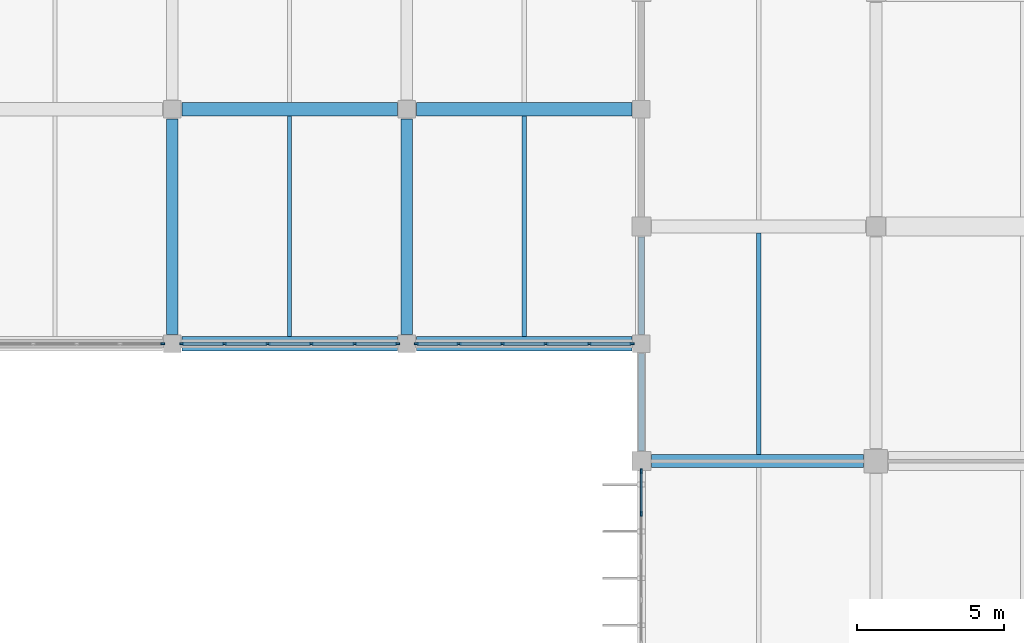
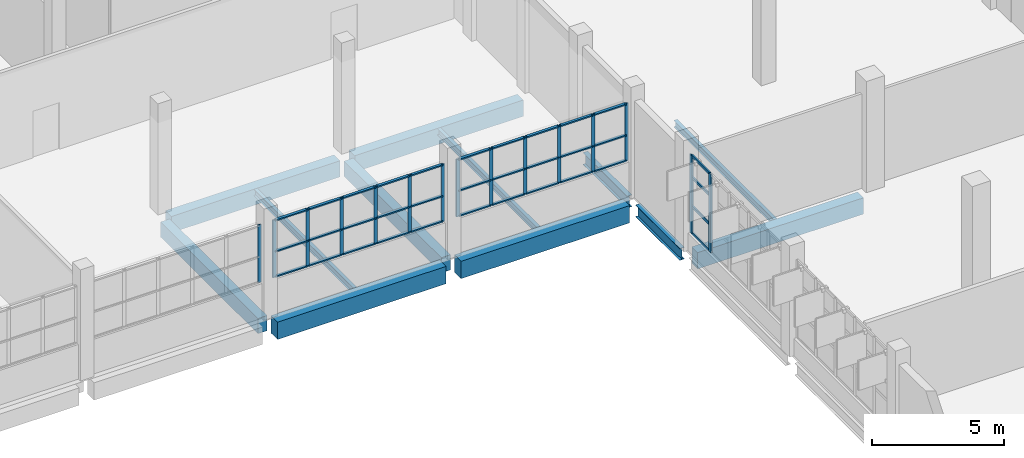
# One storey, part 48 of 103: 49 members, 12 beams, 4 elements without a shape of their own.
"""IFC4 building model written with IfcOpenShell, lengths in metres."""

from ifc_helpers import new_model, si_unit, direction, frame, origin, origin_2d, place, context, subcontext, project, spatial, rectangle, i_section, extrude, material, layer, layer_set, material_profile, profile_set, type_object, element, aggregate, save


model = new_model("IFC4")

# Units and contexts
model_context = context("Model", 3, precision=1e-05, world=origin(), true_north=direction((0.0, 1.0)))
body_context = subcontext(model_context, "Body", "Model", "MODEL_VIEW")
ifc_project = project(units=[si_unit("LENGTHUNIT", "METRE"), si_unit("AREAUNIT", "SQUARE_METRE"), si_unit("VOLUMEUNIT", "CUBIC_METRE"), si_unit("PLANEANGLEUNIT", "RADIAN"), si_unit("MASSUNIT", "GRAM", prefix="KILO")], contexts=[model_context])

# Site, building, storey
site_placement = place(None, origin())
site = spatial("IfcSite", under=ifc_project, at=site_placement, CompositionType="ELEMENT")
building_placement = place(site_placement, origin())
building = spatial("IfcBuilding", under=site, at=building_placement, Name="Drelvana Railside Aquatics Centre", CompositionType="ELEMENT")
storey_placement = place(building_placement, origin())
storey = spatial("IfcBuildingStorey", under=building, at=storey_placement, Name="L00", CompositionType="ELEMENT", Elevation=0.0)

# Curtain wall, member
ifc_material_1 = material(Name="Bronze-anodised aluminium curtain wall", Category="aluminium")
ifc_layer_1 = layer(ifc_material_1, 0.1650390625, Name="Bronze-anodised aluminium curtain wall")
ifc_layer_set_1 = layer_set([ifc_layer_1], Name="Bronze-anodised aluminium curtain wall")
curtain_wall_type_1 = type_object("IfcCurtainWallType", Name="CW-Z5-COURT", PredefinedType="NOTDEFINED", material=ifc_layer_set_1)
curtain_wall_1_placement = place(storey_placement, origin())
curtain_wall_1 = element("IfcCurtainWall", 1, at=curtain_wall_1_placement, inside=storey, type_object=curtain_wall_type_1, Name="Curtain wall CW-05-121", PredefinedType="NOTDEFINED")
ifc_material_2 = material(Name="Bronze-anodised aluminium 6063-T6", Category="aluminium")
ifc_material_profile_1 = material_profile(ifc_material_2, rectangle(XDim=0.06005859375, YDim=0.14990234375, at=origin_2d()), Name="ALU-M 60x150")
ifc_profile_set_1 = profile_set([ifc_material_profile_1], Name="Bronze-anodised aluminium 6063-T6")
member_type_1 = type_object("IfcMemberType", Name="CW-Z5-COURT-MUL", PredefinedType="MULLION", material=ifc_profile_set_1)
member_1_placement = place(storey_placement, frame((127.676025390625, 84.0, 1.593994140625), z_axis=(0.0, 0.0, 1.0), x_axis=(0.0, 1.0, 0.0)))
member_1 = element("IfcMember", 2, at=member_1_placement, type_object=member_type_1, Name="CW-05 mullion 6", PredefinedType="MULLION", context=body_context, shape_type="SweptSolid", body=[
    extrude(rectangle(XDim=0.06005859375, YDim=0.14990234375, at=origin_2d()), origin(), (0.0, 0.0, 1.0), 2.656005859375),
])
aggregate(curtain_wall_1, [member_1])

# Curtain wall, members
curtain_wall_2_placement = place(storey_placement, origin())
curtain_wall_2 = element("IfcCurtainWall", 3, at=curtain_wall_2_placement, inside=storey, type_object=curtain_wall_type_1, Name="Curtain wall CW-05-123", PredefinedType="NOTDEFINED")
member_2_placement = place(storey_placement, frame((128.323974609375, 84.0, 1.593994140625), z_axis=(0.0, 0.0, 1.0), x_axis=(0.0, 1.0, 0.0)))
member_2 = element("IfcMember", 4, at=member_2_placement, type_object=member_type_1, Name="CW-05 mullion 1", PredefinedType="MULLION", context=body_context, shape_type="SweptSolid", body=[
    extrude(rectangle(XDim=0.06005859375, YDim=0.14990234375, at=origin_2d()), origin(), (0.0, 0.0, 1.0), 2.656005859375),
])
member_3_placement = place(storey_placement, frame((129.7763671875, 84.0, 1.593994140625), z_axis=(0.0, 0.0, 1.0), x_axis=(0.0, 1.0, 0.0)))
member_3 = element("IfcMember", 5, at=member_3_placement, type_object=member_type_1, Name="CW-05 mullion 2", PredefinedType="MULLION", context=body_context, shape_type="SweptSolid", body=[
    extrude(rectangle(XDim=0.06005859375, YDim=0.14990234375, at=origin_2d()), origin(), (0.0, 0.0, 1.0), 2.656005859375),
])
member_4_placement = place(storey_placement, frame((131.2587890625, 84.0, 1.593994140625), z_axis=(0.0, 0.0, 1.0), x_axis=(0.0, 1.0, 0.0)))
member_4 = element("IfcMember", 6, at=member_4_placement, type_object=member_type_1, Name="CW-05 mullion 3", PredefinedType="MULLION", context=body_context, shape_type="SweptSolid", body=[
    extrude(rectangle(XDim=0.06005859375, YDim=0.14990234375, at=origin_2d()), origin(), (0.0, 0.0, 1.0), 2.656005859375),
])
member_5_placement = place(storey_placement, frame((132.7412109375, 84.0, 1.593994140625), z_axis=(0.0, 0.0, 1.0), x_axis=(0.0, 1.0, 0.0)))
member_5 = element("IfcMember", 7, at=member_5_placement, type_object=member_type_1, Name="CW-05 mullion 4", PredefinedType="MULLION", context=body_context, shape_type="SweptSolid", body=[
    extrude(rectangle(XDim=0.06005859375, YDim=0.14990234375, at=origin_2d()), origin(), (0.0, 0.0, 1.0), 2.656005859375),
])
member_6_placement = place(storey_placement, frame((134.2236328125, 84.0, 1.593994140625), z_axis=(0.0, 0.0, 1.0), x_axis=(0.0, 1.0, 0.0)))
member_6 = element("IfcMember", 8, at=member_6_placement, type_object=member_type_1, Name="CW-05 mullion 5", PredefinedType="MULLION", context=body_context, shape_type="SweptSolid", body=[
    extrude(rectangle(XDim=0.06005859375, YDim=0.14990234375, at=origin_2d()), origin(), (0.0, 0.0, 1.0), 2.656005859375),
])
member_7_placement = place(storey_placement, frame((135.676025390625, 84.0, 1.593994140625), z_axis=(0.0, 0.0, 1.0), x_axis=(0.0, 1.0, 0.0)))
member_7 = element("IfcMember", 9, at=member_7_placement, type_object=member_type_1, Name="CW-05 mullion 6", PredefinedType="MULLION", context=body_context, shape_type="SweptSolid", body=[
    extrude(rectangle(XDim=0.06005859375, YDim=0.14990234375, at=origin_2d()), origin(), (0.0, 0.0, 1.0), 2.656005859375),
])

curtain_wall_3_placement = place(storey_placement, origin())
curtain_wall_3 = element("IfcCurtainWall", 10, at=curtain_wall_3_placement, inside=storey, type_object=curtain_wall_type_1, Name="Curtain wall CW-05-125", PredefinedType="NOTDEFINED")
member_8_placement = place(storey_placement, frame((136.323974609375, 84.0, 1.593994140625), z_axis=(0.0, 0.0, 1.0), x_axis=(0.0, 1.0, 0.0)))
member_8 = element("IfcMember", 11, at=member_8_placement, type_object=member_type_1, Name="CW-05 mullion 1", PredefinedType="MULLION", context=body_context, shape_type="SweptSolid", body=[
    extrude(rectangle(XDim=0.06005859375, YDim=0.14990234375, at=origin_2d()), origin(), (0.0, 0.0, 1.0), 2.656005859375),
])
member_9_placement = place(storey_placement, frame((137.7763671875, 84.0, 1.593994140625), z_axis=(0.0, 0.0, 1.0), x_axis=(0.0, 1.0, 0.0)))
member_9 = element("IfcMember", 12, at=member_9_placement, type_object=member_type_1, Name="CW-05 mullion 2", PredefinedType="MULLION", context=body_context, shape_type="SweptSolid", body=[
    extrude(rectangle(XDim=0.06005859375, YDim=0.14990234375, at=origin_2d()), origin(), (0.0, 0.0, 1.0), 2.656005859375),
])
member_10_placement = place(storey_placement, frame((139.2587890625, 84.0, 1.593994140625), z_axis=(0.0, 0.0, 1.0), x_axis=(0.0, 1.0, 0.0)))
member_10 = element("IfcMember", 13, at=member_10_placement, type_object=member_type_1, Name="CW-05 mullion 3", PredefinedType="MULLION", context=body_context, shape_type="SweptSolid", body=[
    extrude(rectangle(XDim=0.06005859375, YDim=0.14990234375, at=origin_2d()), origin(), (0.0, 0.0, 1.0), 2.656005859375),
])
member_11_placement = place(storey_placement, frame((140.7412109375, 84.0, 1.593994140625), z_axis=(0.0, 0.0, 1.0), x_axis=(0.0, 1.0, 0.0)))
member_11 = element("IfcMember", 14, at=member_11_placement, type_object=member_type_1, Name="CW-05 mullion 4", PredefinedType="MULLION", context=body_context, shape_type="SweptSolid", body=[
    extrude(rectangle(XDim=0.06005859375, YDim=0.14990234375, at=origin_2d()), origin(), (0.0, 0.0, 1.0), 2.656005859375),
])
member_12_placement = place(storey_placement, frame((142.2236328125, 84.0, 1.593994140625), z_axis=(0.0, 0.0, 1.0), x_axis=(0.0, 1.0, 0.0)))
member_12 = element("IfcMember", 15, at=member_12_placement, type_object=member_type_1, Name="CW-05 mullion 5", PredefinedType="MULLION", context=body_context, shape_type="SweptSolid", body=[
    extrude(rectangle(XDim=0.06005859375, YDim=0.14990234375, at=origin_2d()), origin(), (0.0, 0.0, 1.0), 2.656005859375),
])
member_13_placement = place(storey_placement, frame((143.676025390625, 84.0, 1.593994140625), z_axis=(0.0, 0.0, 1.0), x_axis=(0.0, 1.0, 0.0)))
member_13 = element("IfcMember", 16, at=member_13_placement, type_object=member_type_1, Name="CW-05 mullion 6", PredefinedType="MULLION", context=body_context, shape_type="SweptSolid", body=[
    extrude(rectangle(XDim=0.06005859375, YDim=0.14990234375, at=origin_2d()), origin(), (0.0, 0.0, 1.0), 2.656005859375),
])

# Member
ifc_material_profile_2 = material_profile(ifc_material_2, rectangle(XDim=0.1201171875, YDim=0.06005859375, at=origin_2d()), Name="ALU-T 60x120")
ifc_profile_set_2 = profile_set([ifc_material_profile_2], Name="Bronze-anodised aluminium 6063-T6")
member_type_2 = type_object("IfcMemberType", Name="CW-Z5-COURT-TRN", PredefinedType="USERDEFINED", material=ifc_profile_set_2)
member_14_placement = place(storey_placement, frame((128.34912109375, 84.0, 1.6240234375), z_axis=(1.0, 0.0, 0.0), x_axis=(0.0, 1.0, 0.0)))
member_14 = element("IfcMember", 17, at=member_14_placement, type_object=member_type_2, Name="CW-05 transom 1.1", ObjectType="TRANSOM", PredefinedType="USERDEFINED", context=body_context, shape_type="SweptSolid", body=[
    extrude(rectangle(XDim=0.1201171875, YDim=0.06005859375, at=origin_2d()), origin(), (0.0, 0.0, 1.0), 1.40234375),
])

member_15_placement = place(storey_placement, frame((128.34912109375, 84.0, 2.7890625), z_axis=(1.0, 0.0, 0.0), x_axis=(0.0, 1.0, 0.0)))
member_15 = element("IfcMember", 18, at=member_15_placement, type_object=member_type_2, Name="CW-05 transom 1.2", ObjectType="TRANSOM", PredefinedType="USERDEFINED", context=body_context, shape_type="SweptSolid", body=[
    extrude(rectangle(XDim=0.1201171875, YDim=0.06005859375, at=origin_2d()), origin(), (0.0, 0.0, 1.0), 1.40234375),
])

member_16_placement = place(storey_placement, frame((128.34912109375, 84.0, 4.219970703125), z_axis=(1.0, 0.0, 0.0), x_axis=(0.0, 1.0, 0.0)))
member_16 = element("IfcMember", 19, at=member_16_placement, type_object=member_type_2, Name="CW-05 transom 1.3", ObjectType="TRANSOM", PredefinedType="USERDEFINED", context=body_context, shape_type="SweptSolid", body=[
    extrude(rectangle(XDim=0.1201171875, YDim=0.06005859375, at=origin_2d()), origin(), (0.0, 0.0, 1.0), 1.40234375),
])

member_17_placement = place(storey_placement, frame((129.801513671875, 84.0, 1.6240234375), z_axis=(1.0, 0.0, 0.0), x_axis=(0.0, 1.0, 0.0)))
member_17 = element("IfcMember", 20, at=member_17_placement, type_object=member_type_2, Name="CW-05 transom 2.1", ObjectType="TRANSOM", PredefinedType="USERDEFINED", context=body_context, shape_type="SweptSolid", body=[
    extrude(rectangle(XDim=0.1201171875, YDim=0.06005859375, at=origin_2d()), origin(), (0.0, 0.0, 1.0), 1.432373046875),
])

member_18_placement = place(storey_placement, frame((129.801513671875, 84.0, 2.7890625), z_axis=(1.0, 0.0, 0.0), x_axis=(0.0, 1.0, 0.0)))
member_18 = element("IfcMember", 21, at=member_18_placement, type_object=member_type_2, Name="CW-05 transom 2.2", ObjectType="TRANSOM", PredefinedType="USERDEFINED", context=body_context, shape_type="SweptSolid", body=[
    extrude(rectangle(XDim=0.1201171875, YDim=0.06005859375, at=origin_2d()), origin(), (0.0, 0.0, 1.0), 1.432373046875),
])

member_19_placement = place(storey_placement, frame((129.801513671875, 84.0, 4.219970703125), z_axis=(1.0, 0.0, 0.0), x_axis=(0.0, 1.0, 0.0)))
member_19 = element("IfcMember", 22, at=member_19_placement, type_object=member_type_2, Name="CW-05 transom 2.3", ObjectType="TRANSOM", PredefinedType="USERDEFINED", context=body_context, shape_type="SweptSolid", body=[
    extrude(rectangle(XDim=0.1201171875, YDim=0.06005859375, at=origin_2d()), origin(), (0.0, 0.0, 1.0), 1.432373046875),
])

member_20_placement = place(storey_placement, frame((131.28369140625, 84.0, 1.6240234375), z_axis=(1.0, 0.0, 0.0), x_axis=(0.0, 1.0, 0.0)))
member_20 = element("IfcMember", 23, at=member_20_placement, type_object=member_type_2, Name="CW-05 transom 3.1", ObjectType="TRANSOM", PredefinedType="USERDEFINED", context=body_context, shape_type="SweptSolid", body=[
    extrude(rectangle(XDim=0.1201171875, YDim=0.06005859375, at=origin_2d()), origin(), (0.0, 0.0, 1.0), 1.4326171875),
])

member_21_placement = place(storey_placement, frame((131.28369140625, 84.0, 2.7890625), z_axis=(1.0, 0.0, 0.0), x_axis=(0.0, 1.0, 0.0)))
member_21 = element("IfcMember", 24, at=member_21_placement, type_object=member_type_2, Name="CW-05 transom 3.2", ObjectType="TRANSOM", PredefinedType="USERDEFINED", context=body_context, shape_type="SweptSolid", body=[
    extrude(rectangle(XDim=0.1201171875, YDim=0.06005859375, at=origin_2d()), origin(), (0.0, 0.0, 1.0), 1.4326171875),
])

member_22_placement = place(storey_placement, frame((131.28369140625, 84.0, 4.219970703125), z_axis=(1.0, 0.0, 0.0), x_axis=(0.0, 1.0, 0.0)))
member_22 = element("IfcMember", 25, at=member_22_placement, type_object=member_type_2, Name="CW-05 transom 3.3", ObjectType="TRANSOM", PredefinedType="USERDEFINED", context=body_context, shape_type="SweptSolid", body=[
    extrude(rectangle(XDim=0.1201171875, YDim=0.06005859375, at=origin_2d()), origin(), (0.0, 0.0, 1.0), 1.4326171875),
])

member_23_placement = place(storey_placement, frame((132.76611328125, 84.0, 1.6240234375), z_axis=(1.0, 0.0, 0.0), x_axis=(0.0, 1.0, 0.0)))
member_23 = element("IfcMember", 26, at=member_23_placement, type_object=member_type_2, Name="CW-05 transom 4.1", ObjectType="TRANSOM", PredefinedType="USERDEFINED", context=body_context, shape_type="SweptSolid", body=[
    extrude(rectangle(XDim=0.1201171875, YDim=0.06005859375, at=origin_2d()), origin(), (0.0, 0.0, 1.0), 1.432373046875),
])

member_24_placement = place(storey_placement, frame((132.76611328125, 84.0, 2.7890625), z_axis=(1.0, 0.0, 0.0), x_axis=(0.0, 1.0, 0.0)))
member_24 = element("IfcMember", 27, at=member_24_placement, type_object=member_type_2, Name="CW-05 transom 4.2", ObjectType="TRANSOM", PredefinedType="USERDEFINED", context=body_context, shape_type="SweptSolid", body=[
    extrude(rectangle(XDim=0.1201171875, YDim=0.06005859375, at=origin_2d()), origin(), (0.0, 0.0, 1.0), 1.432373046875),
])

member_25_placement = place(storey_placement, frame((132.76611328125, 84.0, 4.219970703125), z_axis=(1.0, 0.0, 0.0), x_axis=(0.0, 1.0, 0.0)))
member_25 = element("IfcMember", 28, at=member_25_placement, type_object=member_type_2, Name="CW-05 transom 4.3", ObjectType="TRANSOM", PredefinedType="USERDEFINED", context=body_context, shape_type="SweptSolid", body=[
    extrude(rectangle(XDim=0.1201171875, YDim=0.06005859375, at=origin_2d()), origin(), (0.0, 0.0, 1.0), 1.432373046875),
])

member_26_placement = place(storey_placement, frame((134.24853515625, 84.0, 1.6240234375), z_axis=(1.0, 0.0, 0.0), x_axis=(0.0, 1.0, 0.0)))
member_26 = element("IfcMember", 29, at=member_26_placement, type_object=member_type_2, Name="CW-05 transom 5.1", ObjectType="TRANSOM", PredefinedType="USERDEFINED", context=body_context, shape_type="SweptSolid", body=[
    extrude(rectangle(XDim=0.1201171875, YDim=0.06005859375, at=origin_2d()), origin(), (0.0, 0.0, 1.0), 1.40234375),
])

member_27_placement = place(storey_placement, frame((134.24853515625, 84.0, 2.7890625), z_axis=(1.0, 0.0, 0.0), x_axis=(0.0, 1.0, 0.0)))
member_27 = element("IfcMember", 30, at=member_27_placement, type_object=member_type_2, Name="CW-05 transom 5.2", ObjectType="TRANSOM", PredefinedType="USERDEFINED", context=body_context, shape_type="SweptSolid", body=[
    extrude(rectangle(XDim=0.1201171875, YDim=0.06005859375, at=origin_2d()), origin(), (0.0, 0.0, 1.0), 1.40234375),
])

member_28_placement = place(storey_placement, frame((134.24853515625, 84.0, 4.219970703125), z_axis=(1.0, 0.0, 0.0), x_axis=(0.0, 1.0, 0.0)))
member_28 = element("IfcMember", 31, at=member_28_placement, type_object=member_type_2, Name="CW-05 transom 5.3", ObjectType="TRANSOM", PredefinedType="USERDEFINED", context=body_context, shape_type="SweptSolid", body=[
    extrude(rectangle(XDim=0.1201171875, YDim=0.06005859375, at=origin_2d()), origin(), (0.0, 0.0, 1.0), 1.40234375),
])

aggregate(curtain_wall_2, [member_2, member_3, member_4, member_5, member_6, member_7, member_14, member_15, member_16, member_17, member_18, member_19, member_20, member_21, member_22, member_23, member_24, member_25, member_26, member_27, member_28])

member_29_placement = place(storey_placement, frame((136.34912109375, 84.0, 1.6240234375), z_axis=(1.0, 0.0, 0.0), x_axis=(0.0, 1.0, 0.0)))
member_29 = element("IfcMember", 32, at=member_29_placement, type_object=member_type_2, Name="CW-05 transom 1.1", ObjectType="TRANSOM", PredefinedType="USERDEFINED", context=body_context, shape_type="SweptSolid", body=[
    extrude(rectangle(XDim=0.1201171875, YDim=0.06005859375, at=origin_2d()), origin(), (0.0, 0.0, 1.0), 1.40234375),
])

member_30_placement = place(storey_placement, frame((136.34912109375, 84.0, 2.7890625), z_axis=(1.0, 0.0, 0.0), x_axis=(0.0, 1.0, 0.0)))
member_30 = element("IfcMember", 33, at=member_30_placement, type_object=member_type_2, Name="CW-05 transom 1.2", ObjectType="TRANSOM", PredefinedType="USERDEFINED", context=body_context, shape_type="SweptSolid", body=[
    extrude(rectangle(XDim=0.1201171875, YDim=0.06005859375, at=origin_2d()), origin(), (0.0, 0.0, 1.0), 1.40234375),
])

member_31_placement = place(storey_placement, frame((136.34912109375, 84.0, 4.219970703125), z_axis=(1.0, 0.0, 0.0), x_axis=(0.0, 1.0, 0.0)))
member_31 = element("IfcMember", 34, at=member_31_placement, type_object=member_type_2, Name="CW-05 transom 1.3", ObjectType="TRANSOM", PredefinedType="USERDEFINED", context=body_context, shape_type="SweptSolid", body=[
    extrude(rectangle(XDim=0.1201171875, YDim=0.06005859375, at=origin_2d()), origin(), (0.0, 0.0, 1.0), 1.40234375),
])

member_32_placement = place(storey_placement, frame((137.801513671875, 84.0, 1.6240234375), z_axis=(1.0, 0.0, 0.0), x_axis=(0.0, 1.0, 0.0)))
member_32 = element("IfcMember", 35, at=member_32_placement, type_object=member_type_2, Name="CW-05 transom 2.1", ObjectType="TRANSOM", PredefinedType="USERDEFINED", context=body_context, shape_type="SweptSolid", body=[
    extrude(rectangle(XDim=0.1201171875, YDim=0.06005859375, at=origin_2d()), origin(), (0.0, 0.0, 1.0), 1.432373046875),
])

member_33_placement = place(storey_placement, frame((137.801513671875, 84.0, 2.7890625), z_axis=(1.0, 0.0, 0.0), x_axis=(0.0, 1.0, 0.0)))
member_33 = element("IfcMember", 36, at=member_33_placement, type_object=member_type_2, Name="CW-05 transom 2.2", ObjectType="TRANSOM", PredefinedType="USERDEFINED", context=body_context, shape_type="SweptSolid", body=[
    extrude(rectangle(XDim=0.1201171875, YDim=0.06005859375, at=origin_2d()), origin(), (0.0, 0.0, 1.0), 1.432373046875),
])

member_34_placement = place(storey_placement, frame((137.801513671875, 84.0, 4.219970703125), z_axis=(1.0, 0.0, 0.0), x_axis=(0.0, 1.0, 0.0)))
member_34 = element("IfcMember", 37, at=member_34_placement, type_object=member_type_2, Name="CW-05 transom 2.3", ObjectType="TRANSOM", PredefinedType="USERDEFINED", context=body_context, shape_type="SweptSolid", body=[
    extrude(rectangle(XDim=0.1201171875, YDim=0.06005859375, at=origin_2d()), origin(), (0.0, 0.0, 1.0), 1.432373046875),
])

member_35_placement = place(storey_placement, frame((139.28369140625, 84.0, 1.6240234375), z_axis=(1.0, 0.0, 0.0), x_axis=(0.0, 1.0, 0.0)))
member_35 = element("IfcMember", 38, at=member_35_placement, type_object=member_type_2, Name="CW-05 transom 3.1", ObjectType="TRANSOM", PredefinedType="USERDEFINED", context=body_context, shape_type="SweptSolid", body=[
    extrude(rectangle(XDim=0.1201171875, YDim=0.06005859375, at=origin_2d()), origin(), (0.0, 0.0, 1.0), 1.4326171875),
])

member_36_placement = place(storey_placement, frame((139.28369140625, 84.0, 2.7890625), z_axis=(1.0, 0.0, 0.0), x_axis=(0.0, 1.0, 0.0)))
member_36 = element("IfcMember", 39, at=member_36_placement, type_object=member_type_2, Name="CW-05 transom 3.2", ObjectType="TRANSOM", PredefinedType="USERDEFINED", context=body_context, shape_type="SweptSolid", body=[
    extrude(rectangle(XDim=0.1201171875, YDim=0.06005859375, at=origin_2d()), origin(), (0.0, 0.0, 1.0), 1.4326171875),
])

member_37_placement = place(storey_placement, frame((139.28369140625, 84.0, 4.219970703125), z_axis=(1.0, 0.0, 0.0), x_axis=(0.0, 1.0, 0.0)))
member_37 = element("IfcMember", 40, at=member_37_placement, type_object=member_type_2, Name="CW-05 transom 3.3", ObjectType="TRANSOM", PredefinedType="USERDEFINED", context=body_context, shape_type="SweptSolid", body=[
    extrude(rectangle(XDim=0.1201171875, YDim=0.06005859375, at=origin_2d()), origin(), (0.0, 0.0, 1.0), 1.4326171875),
])

member_38_placement = place(storey_placement, frame((140.76611328125, 84.0, 1.6240234375), z_axis=(1.0, 0.0, 0.0), x_axis=(0.0, 1.0, 0.0)))
member_38 = element("IfcMember", 41, at=member_38_placement, type_object=member_type_2, Name="CW-05 transom 4.1", ObjectType="TRANSOM", PredefinedType="USERDEFINED", context=body_context, shape_type="SweptSolid", body=[
    extrude(rectangle(XDim=0.1201171875, YDim=0.06005859375, at=origin_2d()), origin(), (0.0, 0.0, 1.0), 1.432373046875),
])

member_39_placement = place(storey_placement, frame((140.76611328125, 84.0, 2.7890625), z_axis=(1.0, 0.0, 0.0), x_axis=(0.0, 1.0, 0.0)))
member_39 = element("IfcMember", 42, at=member_39_placement, type_object=member_type_2, Name="CW-05 transom 4.2", ObjectType="TRANSOM", PredefinedType="USERDEFINED", context=body_context, shape_type="SweptSolid", body=[
    extrude(rectangle(XDim=0.1201171875, YDim=0.06005859375, at=origin_2d()), origin(), (0.0, 0.0, 1.0), 1.432373046875),
])

member_40_placement = place(storey_placement, frame((140.76611328125, 84.0, 4.219970703125), z_axis=(1.0, 0.0, 0.0), x_axis=(0.0, 1.0, 0.0)))
member_40 = element("IfcMember", 43, at=member_40_placement, type_object=member_type_2, Name="CW-05 transom 4.3", ObjectType="TRANSOM", PredefinedType="USERDEFINED", context=body_context, shape_type="SweptSolid", body=[
    extrude(rectangle(XDim=0.1201171875, YDim=0.06005859375, at=origin_2d()), origin(), (0.0, 0.0, 1.0), 1.432373046875),
])

member_41_placement = place(storey_placement, frame((142.24853515625, 84.0, 1.6240234375), z_axis=(1.0, 0.0, 0.0), x_axis=(0.0, 1.0, 0.0)))
member_41 = element("IfcMember", 44, at=member_41_placement, type_object=member_type_2, Name="CW-05 transom 5.1", ObjectType="TRANSOM", PredefinedType="USERDEFINED", context=body_context, shape_type="SweptSolid", body=[
    extrude(rectangle(XDim=0.1201171875, YDim=0.06005859375, at=origin_2d()), origin(), (0.0, 0.0, 1.0), 1.40234375),
])

member_42_placement = place(storey_placement, frame((142.24853515625, 84.0, 2.7890625), z_axis=(1.0, 0.0, 0.0), x_axis=(0.0, 1.0, 0.0)))
member_42 = element("IfcMember", 45, at=member_42_placement, type_object=member_type_2, Name="CW-05 transom 5.2", ObjectType="TRANSOM", PredefinedType="USERDEFINED", context=body_context, shape_type="SweptSolid", body=[
    extrude(rectangle(XDim=0.1201171875, YDim=0.06005859375, at=origin_2d()), origin(), (0.0, 0.0, 1.0), 1.40234375),
])

member_43_placement = place(storey_placement, frame((142.24853515625, 84.0, 4.219970703125), z_axis=(1.0, 0.0, 0.0), x_axis=(0.0, 1.0, 0.0)))
member_43 = element("IfcMember", 46, at=member_43_placement, type_object=member_type_2, Name="CW-05 transom 5.3", ObjectType="TRANSOM", PredefinedType="USERDEFINED", context=body_context, shape_type="SweptSolid", body=[
    extrude(rectangle(XDim=0.1201171875, YDim=0.06005859375, at=origin_2d()), origin(), (0.0, 0.0, 1.0), 1.40234375),
])

aggregate(curtain_wall_3, [member_8, member_9, member_10, member_11, member_12, member_13, member_29, member_30, member_31, member_32, member_33, member_34, member_35, member_36, member_37, member_38, member_39, member_40, member_41, member_42, member_43])

# Curtain wall, members
ifc_layer_2 = layer(ifc_material_1, 0.175048828125, Name="Bronze-anodised aluminium curtain wall")
ifc_layer_set_2 = layer_set([ifc_layer_2], Name="Bronze-anodised aluminium curtain wall")
curtain_wall_type_2 = type_object("IfcCurtainWallType", Name="CW-Z6-WING", PredefinedType="NOTDEFINED", material=ifc_layer_set_2)
curtain_wall_4_placement = place(storey_placement, origin())
curtain_wall_4 = element("IfcCurtainWall", 47, at=curtain_wall_4_placement, inside=storey, type_object=curtain_wall_type_2, Name="Curtain wall CW-06-159", PredefinedType="NOTDEFINED")
ifc_material_profile_3 = material_profile(ifc_material_2, rectangle(XDim=0.06494140625, YDim=0.175048828125, at=origin_2d()), Name="ALU-M 65x175")
ifc_profile_set_3 = profile_set([ifc_material_profile_3], Name="Bronze-anodised aluminium 6063-T6")
member_type_3 = type_object("IfcMemberType", Name="CW-Z6-WING-MUL", PredefinedType="MULLION", material=ifc_profile_set_3)
member_44_placement = place(storey_placement, frame((144.0, 78.20849609375, 0.7939453125), z_axis=(0.0, 0.0, 1.0), x_axis=(-1.0, 0.0, 0.0)))
member_44 = element("IfcMember", 48, at=member_44_placement, type_object=member_type_3, Name="CW-06 mullion 5", PredefinedType="MULLION", context=body_context, shape_type="SweptSolid", body=[
    extrude(rectangle(XDim=0.06494140625, YDim=0.175048828125, at=origin_2d()), origin(), (0.0, 0.0, 1.0), 3.60595703125),
])
member_45_placement = place(storey_placement, frame((144.0, 79.6484375, 0.7939453125), z_axis=(0.0, 0.0, 1.0), x_axis=(-1.0, 0.0, 0.0)))
member_45 = element("IfcMember", 49, at=member_45_placement, type_object=member_type_3, Name="CW-06 mullion 6", PredefinedType="MULLION", context=body_context, shape_type="SweptSolid", body=[
    extrude(rectangle(XDim=0.06494140625, YDim=0.175048828125, at=origin_2d()), origin(), (0.0, 0.0, 1.0), 3.60595703125),
])
ifc_material_profile_4 = material_profile(ifc_material_2, rectangle(XDim=0.1201171875, YDim=0.06005859375, at=origin_2d()), Name="ALU-T 60x120")
ifc_profile_set_4 = profile_set([ifc_material_profile_4], Name="Bronze-anodised aluminium 6063-T6")
member_type_4 = type_object("IfcMemberType", Name="CW-Z6-WING-TRN", PredefinedType="USERDEFINED", material=ifc_profile_set_4)
member_46_placement = place(storey_placement, frame((144.0, 78.236083984375, 0.823974609375), z_axis=(0.0, 1.0, 0.0), x_axis=(0.0, 0.0, 1.0)))
member_46 = element("IfcMember", 50, at=member_46_placement, type_object=member_type_4, Name="CW-06 transom 5.1", ObjectType="TRANSOM", PredefinedType="USERDEFINED", context=body_context, shape_type="SweptSolid", body=[
    extrude(rectangle(XDim=0.1201171875, YDim=0.06005859375, at=origin_2d()), origin(), (0.0, 0.0, 1.0), 1.385009765625),
])
member_47_placement = place(storey_placement, frame((144.0, 78.236083984375, 2.055908203125), z_axis=(0.0, 1.0, 0.0), x_axis=(0.0, 0.0, 1.0)))
member_47 = element("IfcMember", 51, at=member_47_placement, type_object=member_type_4, Name="CW-06 transom 5.2", ObjectType="TRANSOM", PredefinedType="USERDEFINED", context=body_context, shape_type="SweptSolid", body=[
    extrude(rectangle(XDim=0.1201171875, YDim=0.06005859375, at=origin_2d()), origin(), (0.0, 0.0, 1.0), 1.385009765625),
])
member_48_placement = place(storey_placement, frame((144.0, 78.236083984375, 3.389892578125), z_axis=(0.0, 1.0, 0.0), x_axis=(0.0, 0.0, 1.0)))
member_48 = element("IfcMember", 52, at=member_48_placement, type_object=member_type_4, Name="CW-06 transom 5.3", ObjectType="TRANSOM", PredefinedType="USERDEFINED", context=body_context, shape_type="SweptSolid", body=[
    extrude(rectangle(XDim=0.1201171875, YDim=0.06005859375, at=origin_2d()), origin(), (0.0, 0.0, 1.0), 1.385009765625),
])
member_49_placement = place(storey_placement, frame((144.0, 78.236083984375, 4.3701171875), z_axis=(0.0, 1.0, 0.0), x_axis=(0.0, 0.0, 1.0)))
member_49 = element("IfcMember", 53, at=member_49_placement, type_object=member_type_4, Name="CW-06 transom 5.4", ObjectType="TRANSOM", PredefinedType="USERDEFINED", context=body_context, shape_type="SweptSolid", body=[
    extrude(rectangle(XDim=0.1201171875, YDim=0.06005859375, at=origin_2d()), origin(), (0.0, 0.0, 1.0), 1.385009765625),
])
aggregate(curtain_wall_4, [member_44, member_45, member_46, member_47, member_48, member_49])

# Beams
ifc_material_3 = material(Name="Concrete C40/50", Category="concrete")
ifc_material_profile_5 = material_profile(ifc_material_3, rectangle(XDim=0.39990234375, YDim=0.699951171875, at=origin_2d()), Name="RC 400x700")
ifc_profile_set_5 = profile_set([ifc_material_profile_5], Name="Concrete C40/50")
beam_type_1 = type_object("IfcBeamType", Name="STR-BM-BM-03-RC-400x700", PredefinedType="BEAM", material=ifc_profile_set_5)
for number, where, z_axis, x_axis, name in (
    (54, (128.0, 84.324951171875, -0.679931640625), (0.0, 1.0, 0.0), (-1.0, 0.0, 0.0), "Girder BM-03 (L00)"),
    (55, (136.0, 84.324951171875, -0.679931640625), (0.0, 1.0, 0.0), (-1.0, 0.0, 0.0), "Girder BM-03 (L00)"),
):
    element("IfcBeam", number, at=place(storey_placement, frame(where, z_axis=z_axis, x_axis=x_axis)), inside=storey, type_object=beam_type_1, Name=name, PredefinedType="BEAM", context=body_context, shape_type="SweptSolid", body=[
        extrude(rectangle(XDim=0.39990234375, YDim=0.699951171875, at=origin_2d()), origin(), (0.0, 0.0, 1.0), 7.35009765625),
    ])
ifc_material_profile_6 = material_profile(ifc_material_3, rectangle(XDim=0.449951171875, YDim=0.75, at=origin_2d()), Name="RC 450x750")
ifc_profile_set_6 = profile_set([ifc_material_profile_6], Name="Concrete C40/50")
beam_type_2 = type_object("IfcBeamType", Name="STR-BM-BM-04-RC-450x750", PredefinedType="BEAM", material=ifc_profile_set_6)
beam_1_placement = place(storey_placement, frame((144.35009765625, 80.0, -0.705078125), z_axis=(1.0, 0.0, 0.0), x_axis=(0.0, 1.0, 0.0)))
element("IfcBeam", 56, at=beam_1_placement, inside=storey, type_object=beam_type_2, Name="Girder BM-04 (L00)", PredefinedType="BEAM", context=body_context, shape_type="SweptSolid", body=[
    extrude(rectangle(XDim=0.449951171875, YDim=0.75, at=origin_2d()), origin(), (0.0, 0.0, 1.0), 7.224853515625),
])
for number, where, z_axis, x_axis, name in (
    (57, (128.324951171875, 92.0, -0.705078125), (1.0, 0.0, 0.0), (0.0, 1.0, 0.0), "Girder BM-04 (L00)"),
    (58, (136.324951171875, 92.0, -0.705078125), (1.0, 0.0, 0.0), (0.0, 1.0, 0.0), "Girder BM-04 (L00)"),
):
    element("IfcBeam", number, at=place(storey_placement, frame(where, z_axis=z_axis, x_axis=x_axis)), inside=storey, type_object=beam_type_2, Name=name, PredefinedType="BEAM", context=body_context, shape_type="SweptSolid", body=[
        extrude(rectangle(XDim=0.449951171875, YDim=0.75, at=origin_2d()), origin(), (0.0, 0.0, 1.0), 7.35009765625),
    ])
ifc_material_profile_7 = material_profile(ifc_material_3, rectangle(XDim=0.5, YDim=0.800048828125, at=origin_2d()), Name="RC 500x800")
ifc_profile_set_7 = profile_set([ifc_material_profile_7], Name="Concrete C40/50")
beam_type_3 = type_object("IfcBeamType", Name="STR-BM-BM-06-RC-500x800", PredefinedType="SPANDREL", material=ifc_profile_set_7)
for number, where, z_axis, x_axis, name in (
    (59, (128.324951171875, 84.0, -0.72998046875), (1.0, 0.0, 0.0), (0.0, 1.0, 0.0), "Girder BM-06 (L00)"),
    (60, (136.324951171875, 84.0, -0.72998046875), (1.0, 0.0, 0.0), (0.0, 1.0, 0.0), "Girder BM-06 (L00)"),
):
    element("IfcBeam", number, at=place(storey_placement, frame(where, z_axis=z_axis, x_axis=x_axis)), inside=storey, type_object=beam_type_3, Name=name, PredefinedType="SPANDREL", context=body_context, shape_type="SweptSolid", body=[
        extrude(rectangle(XDim=0.5, YDim=0.800048828125, at=origin_2d()), origin(), (0.0, 0.0, 1.0), 7.35009765625),
    ])
ifc_material_4 = material(Name="Structural steel S355", Category="steel")
ifc_material_profile_8 = material_profile(ifc_material_4, i_section(OverallWidth=0.2099609375, OverallDepth=0.550048828125, WebThickness=0.010986328125, FlangeThickness=0.01708984375, at=origin_2d()), Name="IPE 550")
ifc_profile_set_8 = profile_set([ifc_material_profile_8], Name="Structural steel S355")
beam_type_4 = type_object("IfcBeamType", Name="STR-SBM-SB-04-IPE-550", PredefinedType="SPANDREL", material=ifc_profile_set_8)
for number, where, z_axis, x_axis, name in (
    (61, (144.0, 80.35009765625, -0.60498046875), (0.0, 1.0, 0.0), (-1.0, 0.0, 0.0), "Girder SB-04 (L00)"),
    (62, (144.0, 84.324951171875, -0.60498046875), (0.0, 1.0, 0.0), (-1.0, 0.0, 0.0), "Girder SB-04 (L00)"),
):
    element("IfcBeam", number, at=place(storey_placement, frame(where, z_axis=z_axis, x_axis=x_axis)), inside=storey, type_object=beam_type_4, Name=name, PredefinedType="SPANDREL", context=body_context, shape_type="SweptSolid", body=[
        extrude(i_section(OverallWidth=0.2099609375, OverallDepth=0.550048828125, WebThickness=0.010986328125, FlangeThickness=0.01708984375, at=origin_2d()), origin(), (0.0, 0.0, 1.0), 3.324951171875),
    ])
ifc_material_profile_9 = material_profile(ifc_material_4, i_section(OverallWidth=0.14990234375, OverallDepth=0.300048828125, WebThickness=0.007080078125, FlangeThickness=0.0107421875, at=origin_2d()), Name="IPE 300")
ifc_profile_set_9 = profile_set([ifc_material_profile_9], Name="Structural steel S355")
beam_type_5 = type_object("IfcBeamType", Name="STR-SBM-SJ-03-IPE-300", PredefinedType="JOIST", material=ifc_profile_set_9)
for number, where, z_axis, x_axis, name in (
    (63, (132.0, 84.25, -0.47998046875), (0.0, 1.0, 0.0), (-1.0, 0.0, 0.0), "Secondary floor joist SJ-03 (L00)"),
    (64, (140.0, 84.25, -0.47998046875), (0.0, 1.0, 0.0), (-1.0, 0.0, 0.0), "Secondary floor joist SJ-03 (L00)"),
):
    element("IfcBeam", number, at=place(storey_placement, frame(where, z_axis=z_axis, x_axis=x_axis)), inside=storey, type_object=beam_type_5, Name=name, PredefinedType="JOIST", context=body_context, shape_type="SweptSolid", body=[
        extrude(i_section(OverallWidth=0.14990234375, OverallDepth=0.300048828125, WebThickness=0.007080078125, FlangeThickness=0.0107421875, at=origin_2d()), origin(), (0.0, 0.0, 1.0), 7.52490234375),
    ])
beam_2_placement = place(storey_placement, frame((148.0, 80.22509765625, -0.47998046875), z_axis=(0.0, 1.0, 0.0), x_axis=(-1.0, 0.0, 0.0)))
element("IfcBeam", 65, at=beam_2_placement, inside=storey, type_object=beam_type_5, Name="Secondary floor joist SJ-03 (L00)", PredefinedType="JOIST", context=body_context, shape_type="SweptSolid", body=[
    extrude(i_section(OverallWidth=0.14990234375, OverallDepth=0.300048828125, WebThickness=0.007080078125, FlangeThickness=0.0107421875, at=origin_2d()), origin(), (0.0, 0.0, 1.0), 7.5498046875),
])

save(model, "model.ifc")
